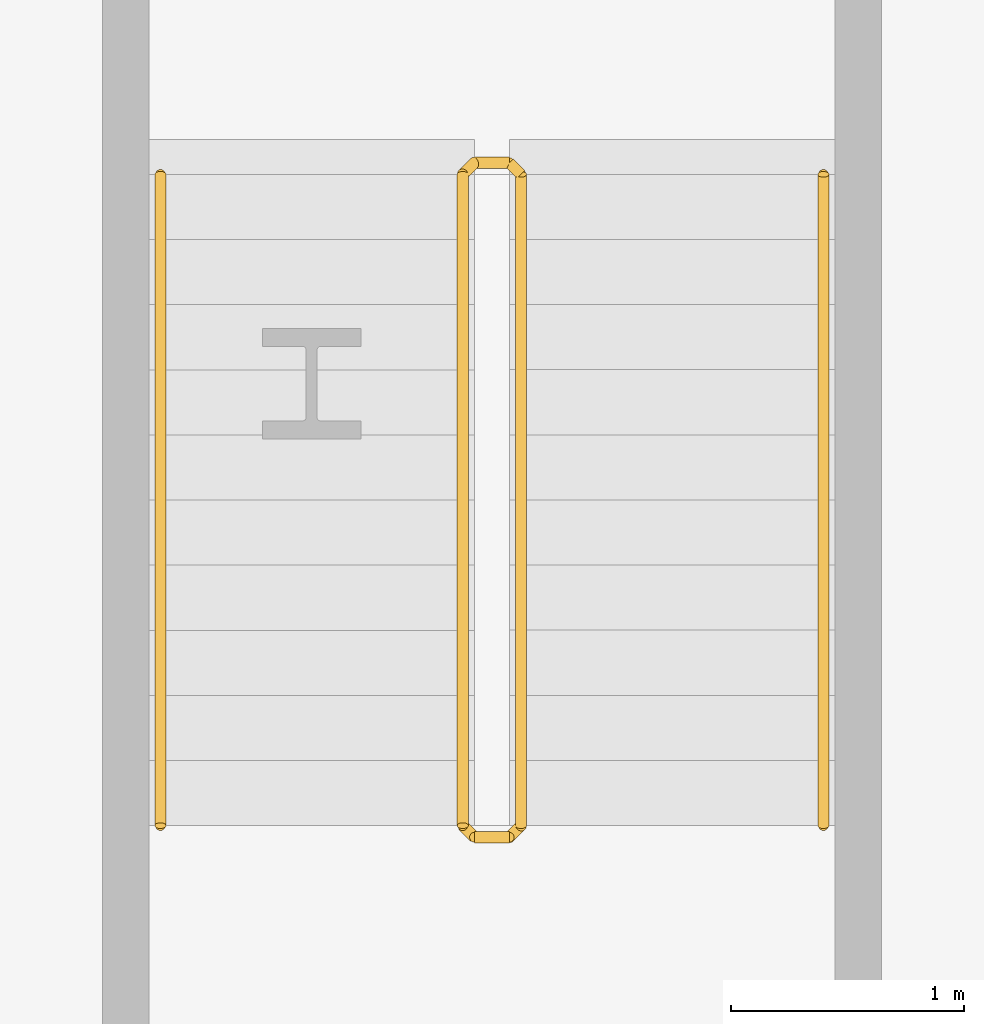
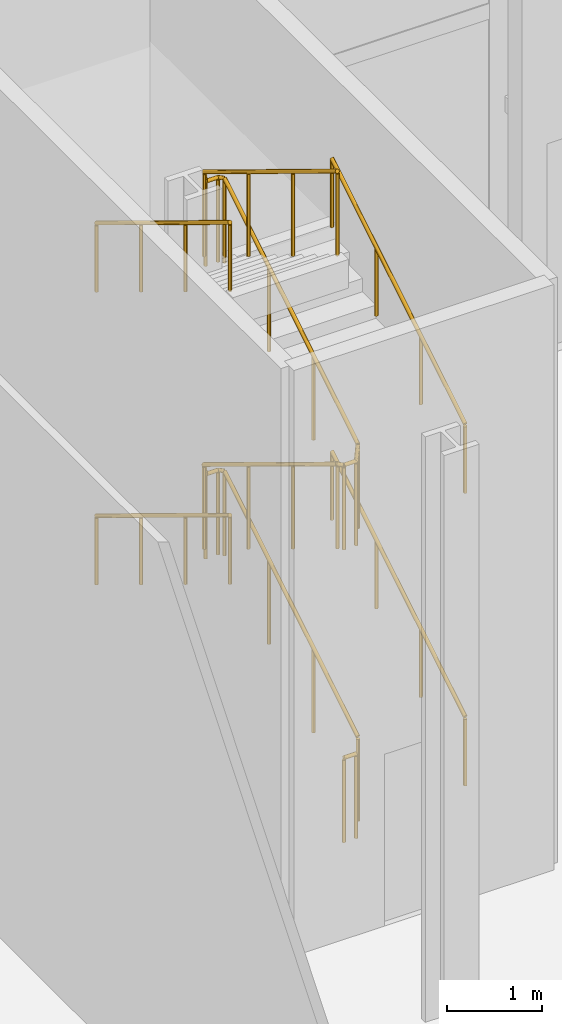
# One storey, part 43 of 46: 6 railings.
"""IFC4 building model written with IfcOpenShell, lengths in metres."""

import ifcopenshell
import ifcopenshell.guid

model = None  # the IFC model being written
_history = None  # IfcOwnerHistory: only IFC2X3 demands one
_inside = {}  # id of a spatial element -> (the spatial element, [elements in it])
_under = {}  # id of a project, library or spatial element -> (it, [spatial elements below it])
_declared = {}  # id of a project -> (the project, [libraries it declares])
_typed = {}  # id of a type object -> (the type object, [elements of that type])
_made_of = {}  # id of a material, layer set ... -> (it, [elements and type objects made of it])


def new_model(schema):
    """Start an empty IFC model of exactly this schema.

    Asked for "IFC4X3", IfcOpenShell would pick the latest addendum, in which some entities
    have other attributes; the version numbers below select the first issue.
    IFC2X3 requires an IfcOwnerHistory on every rooted entity: one is made here for all.
    """
    global model, _history
    if schema == "IFC4X3":
        model = ifcopenshell.file(schema_version=(4, 3, 0, 0))
    else:
        model = ifcopenshell.file(schema=schema)
    _inside.clear()
    _under.clear()
    _declared.clear()
    _typed.clear()
    _made_of.clear()
    _history = None
    if model.schema == "IFC2X3":
        org = make("IfcOrganization", Name="unknown")
        user = make(
            "IfcPersonAndOrganization",
            ThePerson=make("IfcPerson", FamilyName="unknown"),
            TheOrganization=org,
        )
        app = make(
            "IfcApplication",
            ApplicationDeveloper=org,
            Version="unknown",
            ApplicationFullName="unknown",
            ApplicationIdentifier="unknown",
        )
        _history = make(
            "IfcOwnerHistory",
            OwningUser=user,
            OwningApplication=app,
            ChangeAction="ADDED",
            CreationDate=0,
        )
    return model


def make(cls, **values):
    """One entity of the class cls with the attributes given. An attribute that is None is left unset."""
    return model.create_entity(
        cls, **{name: value for name, value in values.items() if value is not None}
    )


def rooted(cls, **values):
    """An entity with a GlobalId (a new one), such as an element, a storey or a relation."""
    return make(cls, GlobalId=ifcopenshell.guid.new(), OwnerHistory=_history, **values)


def si_unit(unit_type, name, prefix=None):
    """IfcSIUnit, for example si_unit("LENGTHUNIT", "METRE", prefix="MILLI")."""
    return make("IfcSIUnit", UnitType=unit_type, Prefix=prefix, Name=name)


def assignment(units):
    """IfcUnitAssignment: the units of a project."""
    return None if units is None else make("IfcUnitAssignment", Units=units)


def point(xyz):
    """IfcCartesianPoint."""
    return None if xyz is None else make("IfcCartesianPoint", Coordinates=xyz)


def direction(xyz):
    """IfcDirection."""
    return None if xyz is None else make("IfcDirection", DirectionRatios=xyz)


def frame(location, z_axis=None, x_axis=None):
    """IfcAxis2Placement3D, a coordinate frame: its origin and axes. An axis left out is left unset."""
    return make(
        "IfcAxis2Placement3D",
        Location=point(location),
        Axis=direction(z_axis),
        RefDirection=direction(x_axis),
    )


def frame_2d(location, x_axis=None):
    """IfcAxis2Placement2D, a coordinate frame in the plane: its origin and x axis."""
    return make(
        "IfcAxis2Placement2D", Location=point(location), RefDirection=direction(x_axis)
    )


def origin():
    """The frame at (0, 0, 0) with its axes left unset."""
    return frame((0.0, 0.0, 0.0))


def origin_2d():
    """The frame at (0, 0) in the plane with its x axis left unset."""
    return frame_2d((0.0, 0.0))


def place(relative_to, where):
    """IfcLocalPlacement: puts the frame where relative to a parent placement (None: the world)."""
    return make(
        "IfcLocalPlacement", PlacementRelTo=relative_to, RelativePlacement=where
    )


def context(
    kind, dimensions, precision=None, world=None, true_north=None, identifier=None
):
    """IfcGeometricRepresentationContext, for example the 3D "Model" context."""
    return make(
        "IfcGeometricRepresentationContext",
        ContextIdentifier=identifier,
        ContextType=kind,
        CoordinateSpaceDimension=dimensions,
        Precision=precision,
        WorldCoordinateSystem=world,
        TrueNorth=true_north,
    )


def subcontext(parent, identifier, kind, view, scale=None):
    """IfcGeometricRepresentationSubContext, for example "Body" below "Model"."""
    return make(
        "IfcGeometricRepresentationSubContext",
        ContextIdentifier=identifier,
        ContextType=kind,
        ParentContext=parent,
        TargetScale=scale,
        TargetView=view,
    )


def project(units=None, contexts=None):
    """IfcProject with its units and contexts."""
    return rooted(
        "IfcProject",
        Name="project",
        RepresentationContexts=contexts,
        UnitsInContext=assignment(units),
    )


def spatial(cls, under=None, at=None, **own):
    """A site, building, storey or space (cls), placed at a placement, below another one or the project."""
    s = rooted(cls, ObjectPlacement=at, **own)
    if under is not None:
        _under.setdefault(under.id(), (under, []))[1].append(s)
    return s


def profile(cls, at=None, kind="AREA", **sizes):
    """A parametric profile (cls). Its sizes go by their IFC names, for example OverallWidth=200.0."""
    return make(cls, ProfileType=kind, Position=at, **sizes)


def circle(**sizes):
    """IfcCircleProfileDef."""
    return profile("IfcCircleProfileDef", **sizes)


def extrude(swept, where, along, depth):
    """IfcExtrudedAreaSolid: the profile swept, set in the frame where, extruded along a direction by depth."""
    return make(
        "IfcExtrudedAreaSolid",
        SweptArea=swept,
        Position=where,
        ExtrudedDirection=direction(along),
        Depth=depth,
    )


def shape(context_of_items, identifier, shape_type, items):
    """IfcShapeRepresentation: the items that make up one representation, for example the "Body"."""
    return make(
        "IfcShapeRepresentation",
        ContextOfItems=context_of_items,
        RepresentationIdentifier=identifier,
        RepresentationType=shape_type,
        Items=items,
    )


def material(Name=None, Category=None):
    """IfcMaterial."""
    return make("IfcMaterial", Name=Name, Category=Category)


def made_of(thing, what):
    """Note that an element or type object is made of a material, layer set ...; save() writes the relation."""
    if what is not None:
        _made_of.setdefault(what.id(), (what, []))[1].append(thing)
    return thing


def type_object(cls, material=None, **own):
    """A type object (cls), such as IfcWallType, which elements share."""
    return made_of(rooted(cls, **own), material)


def element(
    cls,
    number,
    at=None,
    inside=None,
    cuts=None,
    type_object=None,
    material=None,
    context=None,
    identifier="Body",
    shape_type=None,
    held_by="IfcProductDefinitionShape",
    body=None,
    shapes=None,
    **own,
):
    """One element of the class cls, such as IfcWall. Its Tag is "e" and its number.

    at: its placement. inside: the storey or other place that contains it. cuts: it is an
    opening in that element (IfcRelVoidsElement). A single representation is given by context,
    identifier, shape_type and body (its items); several are given by shapes. held_by: the class
    of the entity that holds the representations. save() writes the other relations.
    """
    e = rooted(cls, Tag="e%d" % number, ObjectPlacement=at, **own)
    if body is not None:
        shapes = [shape(context, identifier, shape_type, body)]
    if shapes is not None:
        e.Representation = make(held_by, Representations=shapes)
    if inside is not None:
        _inside.setdefault(inside.id(), (inside, []))[1].append(e)
    if cuts is not None:
        rooted(
            "IfcRelVoidsElement", RelatingBuildingElement=cuts, RelatedOpeningElement=e
        )
    if type_object is not None:
        _typed.setdefault(type_object.id(), (type_object, []))[1].append(e)
    return made_of(e, material)


def aggregate(whole, parts):
    """IfcRelAggregates: a whole, such as a stair, and the parts it consists of."""
    return rooted("IfcRelAggregates", RelatingObject=whole, RelatedObjects=parts)


def save(model, path):
    """Write the relations noted so far, then the file.

    IfcRelAggregates (storeys below a building ...), IfcRelContainedInSpatialStructure (elements
    in a storey), IfcRelDefinesByType, IfcRelAssociatesMaterial and IfcRelDeclares: one each for
    every whole, place, type object, material and project.
    """
    for whole, parts in _under.values():
        aggregate(whole, parts)
    for where, things in _inside.values():
        rooted(
            "IfcRelContainedInSpatialStructure",
            RelatedElements=things,
            RelatingStructure=where,
        )
    for kind, things in _typed.values():
        rooted("IfcRelDefinesByType", RelatedObjects=things, RelatingType=kind)
    for what, things in _made_of.values():
        rooted("IfcRelAssociatesMaterial", RelatedObjects=things, RelatingMaterial=what)
    for by, libraries in _declared.values():
        rooted("IfcRelDeclares", RelatingContext=by, RelatedDefinitions=libraries)
    model.write(path)


model = new_model("IFC4")

# Units and contexts
model_context = context("Model", 3, precision=1e-05, world=origin(), true_north=direction((0.0, 1.0)))
body_context = subcontext(model_context, "Body", "Model", "MODEL_VIEW")
ifc_project = project(units=[si_unit("LENGTHUNIT", "METRE"), si_unit("AREAUNIT", "SQUARE_METRE"), si_unit("VOLUMEUNIT", "CUBIC_METRE"), si_unit("PLANEANGLEUNIT", "RADIAN"), si_unit("MASSUNIT", "GRAM", prefix="KILO")], contexts=[model_context])

# Site, building, storey
site_placement = place(None, origin())
site = spatial("IfcSite", under=ifc_project, at=site_placement, CompositionType="ELEMENT")
building_placement = place(site_placement, origin())
building = spatial("IfcBuilding", under=site, at=building_placement, Name="Kheshtan School and Residences Tower", CompositionType="ELEMENT")
storey_placement = place(building_placement, origin())
storey = spatial("IfcBuildingStorey", under=building, at=storey_placement, Name="L00", CompositionType="ELEMENT", Elevation=0.0)

# Railings
ifc_material_1 = material(Name="Stainless steel balustrade", Category="steel")
railing_type_1 = type_object("IfcRailingType", Name="Stair guard 1100", PredefinedType="GUARDRAIL", material=ifc_material_1)
railing_1_placement = place(storey_placement, frame((91.699951171875, 103.10009765625, 0.17041015625)))
element("IfcRailing", 1, at=railing_1_placement, inside=storey, type_object=railing_type_1, Name="L00 PS-090-102 stair guard 1", PredefinedType="GUARDRAIL", context=body_context, shape_type="SweptSolid", body=[
    extrude(circle(Radius=0.02392578125, at=origin_2d()), frame((0.0, 0.0, 1.076171875), z_axis=(0.0, 0.854149651119, 0.520027281489), x_axis=(-1.0, 0.0, 0.0)), (0.0, 0.0, 1.0), 3.27783203125),
    extrude(circle(Radius=0.02392578125, at=origin_2d()), frame((0.0, 2.7998046875, 2.78076171875), z_axis=(-0.707106781187, 0.707106781187, 0.0), x_axis=(-0.707106781187, -0.707106781187, 0.0)), (0.0, 0.0, 1.0), 0.07080078125),
    extrude(circle(Radius=0.02392578125, at=origin_2d()), frame((-0.050048828125, 2.849853515625, 2.78076171875), z_axis=(-1.0, 0.0, 0.0), x_axis=(0.0, -1.0, 0.0)), (0.0, 0.0, 1.0), 0.14990234375),
    extrude(circle(Radius=0.02392578125, at=origin_2d()), frame((-0.199951171875, 2.849853515625, 2.78076171875), z_axis=(-0.271230943075, -0.271230943075, 0.923508284228), x_axis=(0.707106781187, -0.707106781187, 0.0)), (0.0, 0.0, 1.0), 0.1845703125),
    extrude(circle(Radius=0.02392578125, at=origin_2d()), frame((-0.25, 2.7998046875, 2.951171875), z_axis=(0.0, -0.854149651119, 0.520027281489), x_axis=(1.0, 0.0, 0.0)), (0.0, 0.0, 1.0), 3.27783203125),
    extrude(circle(Radius=0.02392578125, at=origin_2d()), frame((-0.25, 0.0, 4.65576171875), z_axis=(0.707106781187, -0.707106781187, 0.0), x_axis=(0.707106781187, 0.707106781187, 0.0)), (0.0, 0.0, 1.0), 0.07080078125),
    extrude(circle(Radius=0.02392578125, at=origin_2d()), frame((-0.199951171875, -0.050048828125, 4.65576171875), z_axis=(1.0, 0.0, 0.0), x_axis=(0.0, 1.0, 0.0)), (0.0, 0.0, 1.0), 0.14990234375),
    extrude(circle(Radius=0.02392578125, at=origin_2d()), frame((-0.050048828125, -0.050048828125, 4.65576171875), z_axis=(0.271230943075, 0.271230943075, 0.923508284228), x_axis=(-0.707106781187, 0.707106781187, 0.0)), (0.0, 0.0, 1.0), 0.1845703125),
    extrude(circle(Radius=0.02392578125, at=origin_2d()), frame((0.0, 0.0, 4.826171875), z_axis=(0.0, 0.854149651119, 0.520027281489), x_axis=(-1.0, 0.0, 0.0)), (0.0, 0.0, 1.0), 3.27783203125),
    extrude(circle(Radius=0.02392578125, at=origin_2d()), frame((0.0, 2.7998046875, 6.53076171875), z_axis=(-0.707106781187, 0.707106781187, 0.0), x_axis=(-0.707106781187, -0.707106781187, 0.0)), (0.0, 0.0, 1.0), 0.07080078125),
    extrude(circle(Radius=0.02392578125, at=origin_2d()), frame((-0.050048828125, 2.849853515625, 6.53076171875), z_axis=(-1.0, 0.0, 0.0), x_axis=(0.0, -1.0, 0.0)), (0.0, 0.0, 1.0), 0.14990234375),
    extrude(circle(Radius=0.02392578125, at=origin_2d()), frame((-0.199951171875, 2.849853515625, 6.53076171875), z_axis=(-0.271230943075, -0.271230943075, 0.923508284228), x_axis=(0.707106781187, -0.707106781187, 0.0)), (0.0, 0.0, 1.0), 0.1845703125),
    extrude(circle(Radius=0.02392578125, at=origin_2d()), frame((-0.25, 2.7998046875, 6.701171875), z_axis=(0.0, -0.854149651119, 0.520027281489), x_axis=(1.0, 0.0, 0.0)), (0.0, 0.0, 1.0), 3.27783203125),
    extrude(circle(Radius=0.02099609375, at=origin_2d()), origin(), (0.0, 0.0, 1.0), 1.052001953125),
    extrude(circle(Radius=0.02099609375, at=origin_2d()), frame((0.0, 0.933349609375, 0.568115234375)), (0.0, 0.0, 1.0), 1.052001953125),
    extrude(circle(Radius=0.02099609375, at=origin_2d()), frame((0.0, 1.866455078125, 1.136474609375)), (0.0, 0.0, 1.0), 1.052001953125),
    extrude(circle(Radius=0.02099609375, at=origin_2d()), frame((0.0, 2.7998046875, 1.70458984375)), (0.0, 0.0, 1.0), 1.052001953125),
    extrude(circle(Radius=0.02099609375, at=origin_2d()), frame((-0.050048828125, 2.849853515625, 1.70458984375)), (0.0, 0.0, 1.0), 1.052001953125),
    extrude(circle(Radius=0.02099609375, at=origin_2d()), frame((-0.199951171875, 2.849853515625, 1.70458984375)), (0.0, 0.0, 1.0), 1.052001953125),
    extrude(circle(Radius=0.02099609375, at=origin_2d()), frame((-0.25, 2.7998046875, 1.875)), (0.0, 0.0, 1.0), 1.052001953125),
    extrude(circle(Radius=0.02099609375, at=origin_2d()), frame((-0.25, 1.866455078125, 2.443115234375)), (0.0, 0.0, 1.0), 1.052001953125),
    extrude(circle(Radius=0.02099609375, at=origin_2d()), frame((-0.25, 0.933349609375, 3.011474609375)), (0.0, 0.0, 1.0), 1.052001953125),
    extrude(circle(Radius=0.02099609375, at=origin_2d()), frame((-0.25, 0.0, 3.57958984375)), (0.0, 0.0, 1.0), 1.052001953125),
    extrude(circle(Radius=0.02099609375, at=origin_2d()), frame((-0.199951171875, -0.050048828125, 3.57958984375)), (0.0, 0.0, 1.0), 1.052001953125),
    extrude(circle(Radius=0.02099609375, at=origin_2d()), frame((-0.050048828125, -0.050048828125, 3.57958984375)), (0.0, 0.0, 1.0), 1.052001953125),
    extrude(circle(Radius=0.02099609375, at=origin_2d()), frame((0.0, 0.0, 3.75)), (0.0, 0.0, 1.0), 1.052001953125),
    extrude(circle(Radius=0.02099609375, at=origin_2d()), frame((0.0, 0.933349609375, 4.318115234375)), (0.0, 0.0, 1.0), 1.052001953125),
    extrude(circle(Radius=0.02099609375, at=origin_2d()), frame((0.0, 1.866455078125, 4.886474609375)), (0.0, 0.0, 1.0), 1.052001953125),
    extrude(circle(Radius=0.02099609375, at=origin_2d()), frame((0.0, 2.7998046875, 5.45458984375)), (0.0, 0.0, 1.0), 1.052001953125),
    extrude(circle(Radius=0.02099609375, at=origin_2d()), frame((-0.050048828125, 2.849853515625, 5.45458984375)), (0.0, 0.0, 1.0), 1.052001953125),
    extrude(circle(Radius=0.02099609375, at=origin_2d()), frame((-0.199951171875, 2.849853515625, 5.45458984375)), (0.0, 0.0, 1.0), 1.052001953125),
    extrude(circle(Radius=0.02099609375, at=origin_2d()), frame((-0.25, 2.7998046875, 5.625)), (0.0, 0.0, 1.0), 1.052001953125),
    extrude(circle(Radius=0.02099609375, at=origin_2d()), frame((-0.25, 1.866455078125, 6.193115234375)), (0.0, 0.0, 1.0), 1.052001953125),
    extrude(circle(Radius=0.02099609375, at=origin_2d()), frame((-0.25, 0.933349609375, 6.761474609375)), (0.0, 0.0, 1.0), 1.052001953125),
    extrude(circle(Radius=0.02099609375, at=origin_2d()), frame((-0.25, 0.0, 7.32958984375)), (0.0, 0.0, 1.0), 1.052001953125),
])
railing_2_placement = place(storey_placement, frame((91.64990234375, 103.050048828125, 0.0)))
element("IfcRailing", 2, at=railing_2_placement, inside=storey, type_object=railing_type_1, Name="L00 PS-090-102 stair guard 2", PredefinedType="GUARDRAIL", context=body_context, shape_type="SweptSolid", body=[
    extrude(circle(Radius=0.02392578125, at=origin_2d()), frame((0.0, 0.0, 1.076171875), z_axis=(-1.0, 0.0, 0.0), x_axis=(0.0, -1.0, 0.0)), (0.0, 0.0, 1.0), 0.14990234375),
    extrude(circle(Radius=0.02099609375, at=origin_2d()), origin(), (0.0, 0.0, 1.0), 1.052001953125),
    extrude(circle(Radius=0.02099609375, at=origin_2d()), frame((-0.14990234375, 0.0, 0.0)), (0.0, 0.0, 1.0), 1.052001953125),
])
ifc_material_2 = material(Name="Stainless steel handrail", Category="steel")
railing_type_2 = type_object("IfcRailingType", Name="Stair handrail 900", PredefinedType="HANDRAIL", material=ifc_material_2)
railing_3_placement = place(storey_placement, frame((93.0, 103.10009765625, 0.17041015625)))
element("IfcRailing", 3, at=railing_3_placement, inside=storey, type_object=railing_type_2, Name="L00 PS-090-102 stair handrail 1", PredefinedType="HANDRAIL", context=body_context, shape_type="SweptSolid", body=[
    extrude(circle(Radius=0.02392578125, at=origin_2d()), frame((0.0, 0.0, 0.8759765625), z_axis=(0.0, 0.854149651119, 0.520027281489), x_axis=(-1.0, 0.0, 0.0)), (0.0, 0.0, 1.0), 3.27783203125),
    extrude(circle(Radius=0.02099609375, at=origin_2d()), origin(), (0.0, 0.0, 1.0), 0.851806640625),
    extrude(circle(Radius=0.02099609375, at=origin_2d()), frame((0.0, 0.933349609375, 0.568115234375)), (0.0, 0.0, 1.0), 0.851806640625),
    extrude(circle(Radius=0.02099609375, at=origin_2d()), frame((0.0, 1.866455078125, 1.136474609375)), (0.0, 0.0, 1.0), 0.851806640625),
    extrude(circle(Radius=0.02099609375, at=origin_2d()), frame((0.0, 2.7998046875, 1.70458984375)), (0.0, 0.0, 1.0), 0.851806640625),
])
railing_4_placement = place(storey_placement, frame((90.14990234375, 105.89990234375, 2.04541015625)))
element("IfcRailing", 4, at=railing_4_placement, inside=storey, type_object=railing_type_2, Name="L00 PS-090-102 stair handrail 2", PredefinedType="HANDRAIL", context=body_context, shape_type="SweptSolid", body=[
    extrude(circle(Radius=0.02392578125, at=origin_2d()), frame((0.0, 0.0, 0.8759765625), z_axis=(0.0, -0.854149651119, 0.520027281489), x_axis=(1.0, 0.0, 0.0)), (0.0, 0.0, 1.0), 3.27783203125),
    extrude(circle(Radius=0.02099609375, at=origin_2d()), origin(), (0.0, 0.0, 1.0), 0.851806640625),
    extrude(circle(Radius=0.02099609375, at=origin_2d()), frame((0.0, -0.933349609375, 0.568115234375)), (0.0, 0.0, 1.0), 0.851806640625),
    extrude(circle(Radius=0.02099609375, at=origin_2d()), frame((0.0, -1.866455078125, 1.136474609375)), (0.0, 0.0, 1.0), 0.851806640625),
    extrude(circle(Radius=0.02099609375, at=origin_2d()), frame((0.0, -2.7998046875, 1.70458984375)), (0.0, 0.0, 1.0), 0.851806640625),
])
railing_5_placement = place(storey_placement, frame((93.0, 103.10009765625, 3.92041015625)))
element("IfcRailing", 5, at=railing_5_placement, inside=storey, type_object=railing_type_2, Name="L00 PS-090-102 stair handrail 3", PredefinedType="HANDRAIL", context=body_context, shape_type="SweptSolid", body=[
    extrude(circle(Radius=0.02392578125, at=origin_2d()), frame((0.0, 0.0, 0.8759765625), z_axis=(0.0, 0.854149651119, 0.520027281489), x_axis=(-1.0, 0.0, 0.0)), (0.0, 0.0, 1.0), 3.27783203125),
    extrude(circle(Radius=0.02099609375, at=origin_2d()), origin(), (0.0, 0.0, 1.0), 0.851806640625),
    extrude(circle(Radius=0.02099609375, at=origin_2d()), frame((0.0, 0.933349609375, 0.568115234375)), (0.0, 0.0, 1.0), 0.851806640625),
    extrude(circle(Radius=0.02099609375, at=origin_2d()), frame((0.0, 1.866455078125, 1.136474609375)), (0.0, 0.0, 1.0), 0.851806640625),
    extrude(circle(Radius=0.02099609375, at=origin_2d()), frame((0.0, 2.7998046875, 1.70458984375)), (0.0, 0.0, 1.0), 0.851806640625),
])
railing_6_placement = place(storey_placement, frame((90.14990234375, 105.89990234375, 5.79541015625)))
element("IfcRailing", 6, at=railing_6_placement, inside=storey, type_object=railing_type_2, Name="L00 PS-090-102 stair handrail 4", PredefinedType="HANDRAIL", context=body_context, shape_type="SweptSolid", body=[
    extrude(circle(Radius=0.02392578125, at=origin_2d()), frame((0.0, 0.0, 0.8759765625), z_axis=(0.0, -0.854149651119, 0.520027281489), x_axis=(1.0, 0.0, 0.0)), (0.0, 0.0, 1.0), 3.27783203125),
    extrude(circle(Radius=0.02099609375, at=origin_2d()), origin(), (0.0, 0.0, 1.0), 0.851806640625),
    extrude(circle(Radius=0.02099609375, at=origin_2d()), frame((0.0, -0.933349609375, 0.568115234375)), (0.0, 0.0, 1.0), 0.851806640625),
    extrude(circle(Radius=0.02099609375, at=origin_2d()), frame((0.0, -1.866455078125, 1.136474609375)), (0.0, 0.0, 1.0), 0.851806640625),
    extrude(circle(Radius=0.02099609375, at=origin_2d()), frame((0.0, -2.7998046875, 1.70458984375)), (0.0, 0.0, 1.0), 0.851806640625),
])

save(model, "model.ifc")
